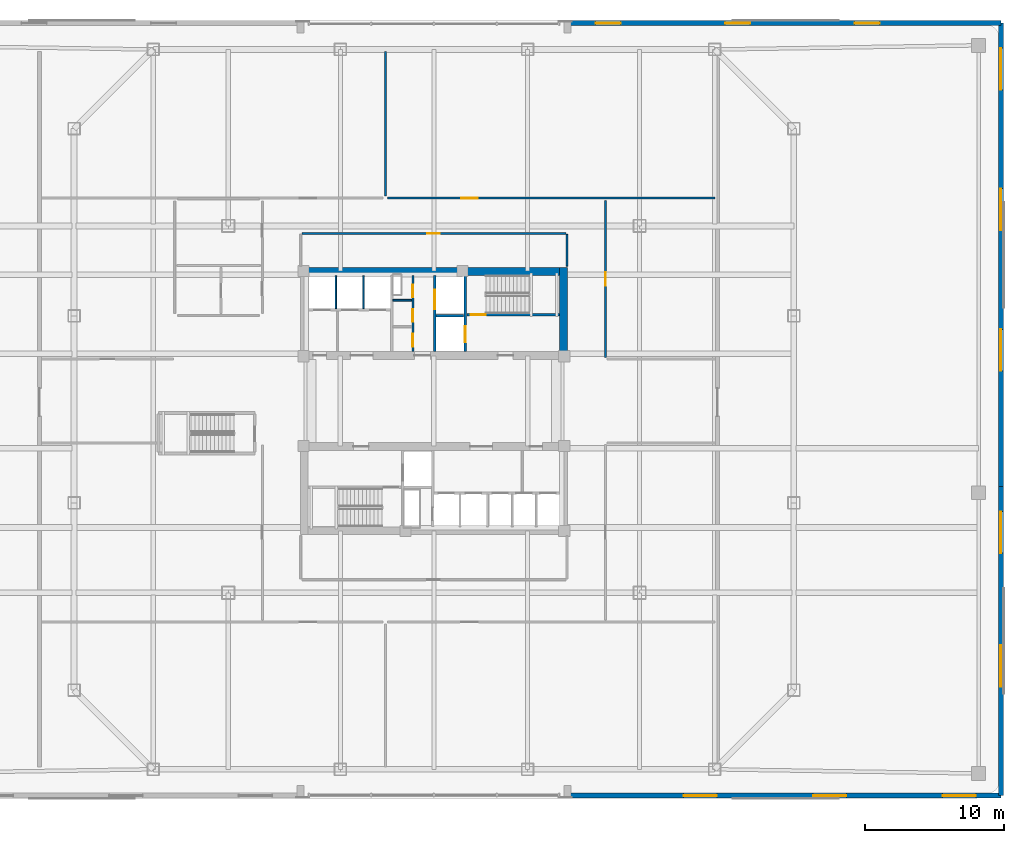
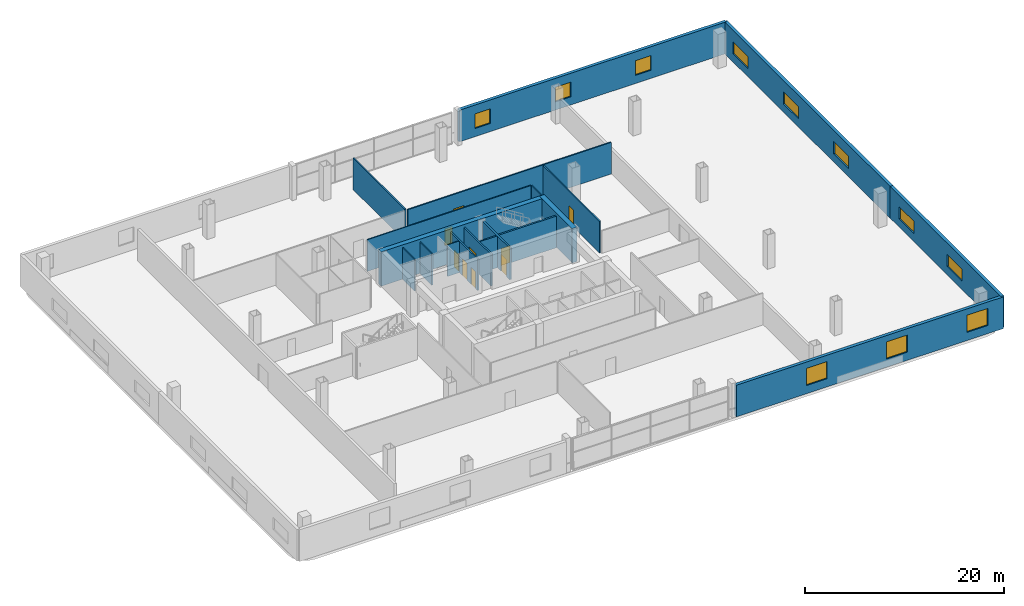
# One storey, part 14 of 21: 19 walls, 11 windows, 9 doors, 20 openings.
"""IFC4 building model written with IfcOpenShell, lengths in metres."""

from ifc_helpers import new_model, si_unit, direction, frame, frame_2d, origin, place, context, subcontext, project, spatial, rectangle, extrude, material, layer, layer_set, type_object, element, fill, save


model = new_model("IFC4")

# Units and contexts
model_context = context("Model", 3, precision=1e-05, world=origin(), true_north=direction((0.0, 1.0)))
body_context = subcontext(model_context, "Body", "Model", "MODEL_VIEW")
ifc_project = project(units=[si_unit("LENGTHUNIT", "METRE"), si_unit("AREAUNIT", "SQUARE_METRE"), si_unit("VOLUMEUNIT", "CUBIC_METRE"), si_unit("PLANEANGLEUNIT", "RADIAN"), si_unit("MASSUNIT", "GRAM", prefix="KILO")], contexts=[model_context])

# Site, building, storey
site_placement = place(None, origin())
site = spatial("IfcSite", under=ifc_project, at=site_placement, CompositionType="ELEMENT")
building_placement = place(site_placement, origin())
building = spatial("IfcBuilding", under=site, at=building_placement, Name="Qhalaya Broadcast Tower", CompositionType="ELEMENT")
storey_placement = place(building_placement, frame((0.0, 0.0, 5.10009765625)))
storey = spatial("IfcBuildingStorey", under=building, at=storey_placement, Name="L01", CompositionType="ELEMENT", Elevation=5.10009765625)

# Wall, openings, doors
ifc_material_1 = material(Name="Gypsum Acoustic Partition")
ifc_layer_1 = layer(ifc_material_1, 0.14990234375, Name="Gypsum Acoustic Partition")
ifc_layer_set_1 = layer_set([ifc_layer_1], Name="Gypsum Acoustic Partition")
wall_type_1 = type_object("IfcWallType", Name="Corridor & Tenancy Acoustic Partition 150", PredefinedType="PARTITIONING", material=ifc_layer_set_1)
wall_1_placement = place(storey_placement, frame((-1.52001953125, 4.169921875, 0.0), z_axis=(0.0, 0.0, 1.0), x_axis=(0.0, 1.0, 0.0)))
wall_1 = element("IfcWall", 1, at=wall_1_placement, inside=storey, type_object=wall_type_1, Name="L01 Partition Wall NCW-SVL", PredefinedType="PARTITIONING", context=body_context, shape_type="SweptSolid", body=[
    extrude(rectangle(XDim=5.4599609375, YDim=0.14990234375, at=frame_2d((2.72998046875, 0.0))), origin(), (0.0, 0.0, 1.0), 3.8798828125),
])
opening_1_placement = place(wall_1_placement, frame((3.89990234375, 0.0, 0.0)))
opening_1 = element("IfcOpeningElement", 2, at=opening_1_placement, cuts=wall_1, Name="Opening D06", PredefinedType="OPENING", context=body_context, shape_type="SweptSolid", body=[
    extrude(rectangle(XDim=0.89990234375, YDim=2.050048828125, at=frame_2d((0.449951171875, 1.02490234375))), frame((0.0, 0.0869140625, 0.0), z_axis=(0.0, -1.0, 0.0), x_axis=(1.0, 0.0, 0.0)), (0.0, 0.0, 1.0), 0.173828125),
])
opening_2_placement = place(wall_1_placement, frame((2.14990234375, 0.0, 0.0)))
opening_2 = element("IfcOpeningElement", 3, at=opening_2_placement, cuts=wall_1, Name="Opening D06", PredefinedType="OPENING", context=body_context, shape_type="SweptSolid", body=[
    extrude(rectangle(XDim=0.89990234375, YDim=2.050048828125, at=frame_2d((0.449951171875, 1.02490234375))), frame((0.0, 0.0869140625, 0.0), z_axis=(0.0, -1.0, 0.0), x_axis=(1.0, 0.0, 0.0)), (0.0, 0.0, 1.0), 0.173828125),
])
opening_3_placement = place(wall_1_placement, frame((0.35009765625, 0.0, 0.0)))
opening_3 = element("IfcOpeningElement", 4, at=opening_3_placement, cuts=wall_1, Name="Opening D12", PredefinedType="OPENING", context=body_context, shape_type="SweptSolid", body=[
    extrude(rectangle(XDim=0.919921875, YDim=2.10009765625, at=frame_2d((0.4599609375, 1.050048828125))), frame((0.0, 0.0869140625, 0.0), z_axis=(0.0, -1.0, 0.0), x_axis=(1.0, 0.0, 0.0)), (0.0, 0.0, 1.0), 0.173828125),
])
ifc_material_2 = material(Name="Timber Veneer Acoustic Door", Category="wood")
door_type_1 = type_object("IfcDoorType", Name="Accessible WC & Restroom Door D12", OperationType="NOTDEFINED", PredefinedType="DOOR", material=ifc_material_2)
door_1_placement = place(opening_3_placement, origin())
door_1 = element("IfcDoor", 5, at=door_1_placement, inside=storey, type_object=door_type_1, Name="L01 Door D-NCWC", OperationType="SINGLE_SWING_RIGHT", OverallHeight=2.10009765625, OverallWidth=0.919921875, PredefinedType="DOOR", context=body_context, shape_type="SweptSolid", body=[
    extrude(rectangle(XDim=0.919921875, YDim=2.10009765625, at=frame_2d((0.4599609375, 1.050048828125))), frame((0.0, 0.02490234375, 0.0), z_axis=(0.0, -1.0, 0.0), x_axis=(1.0, 0.0, 0.0)), (0.0, 0.0, 1.0), 0.050048828125),
])
fill(opening_3, door_1)
ifc_material_3 = material(Name="Fire-Rated Steel Door", Category="steel")
door_type_2 = type_object("IfcDoorType", Name="Riser & Electrical Shaft Access Door D06", OperationType="NOTDEFINED", PredefinedType="DOOR", material=ifc_material_3)
door_2_placement = place(opening_1_placement, origin())
door_2 = element("IfcDoor", 6, at=door_2_placement, inside=storey, type_object=door_type_2, Name="L01 Riser Shaft Access Door D-NRSR", OperationType="SINGLE_SWING_RIGHT", OverallHeight=2.050048828125, OverallWidth=0.89990234375, PredefinedType="DOOR", context=body_context, shape_type="SweptSolid", body=[
    extrude(rectangle(XDim=0.89990234375, YDim=2.050048828125, at=frame_2d((0.449951171875, 1.02490234375))), frame((0.0, 0.02490234375, 0.0), z_axis=(0.0, -1.0, 0.0), x_axis=(1.0, 0.0, 0.0)), (0.0, 0.0, 1.0), 0.050048828125),
])
fill(opening_1, door_2)
door_3_placement = place(opening_2_placement, origin())
door_3 = element("IfcDoor", 7, at=door_3_placement, inside=storey, type_object=door_type_2, Name="L01 Door D-NITR", OperationType="SINGLE_SWING_LEFT", OverallHeight=2.050048828125, OverallWidth=0.89990234375, PredefinedType="DOOR", context=body_context, shape_type="SweptSolid", body=[
    extrude(rectangle(XDim=0.89990234375, YDim=2.050048828125, at=frame_2d((0.449951171875, 1.02490234375))), frame((0.0, 0.02490234375, 0.0), z_axis=(0.0, -1.0, 0.0), x_axis=(1.0, 0.0, 0.0)), (0.0, 0.0, 1.0), 0.050048828125),
])
fill(opening_2, door_3)

# Wall, opening, door
wall_2_placement = place(storey_placement, frame((-3.340087890625, 15.199951171875, 0.0), z_axis=(0.0, 0.0, 1.0), x_axis=(1.0, 0.0, 0.0)))
wall_2 = element("IfcWall", 8, at=wall_2_placement, inside=storey, type_object=wall_type_1, Name="L01 Partition Wall W-STN1R", PredefinedType="PARTITIONING", context=body_context, shape_type="SweptSolid", body=[
    extrude(rectangle(XDim=23.580078125, YDim=0.14990234375, at=frame_2d((11.7900390625, 0.0))), origin(), (0.0, 0.0, 1.0), 3.8798828125),
])
opening_4_placement = place(wall_2_placement, frame((5.294921875, 0.0, 0.0)))
opening_4 = element("IfcOpeningElement", 9, at=opening_4_placement, cuts=wall_2, Name="Opening D11", PredefinedType="OPENING", context=body_context, shape_type="SweptSolid", body=[
    extrude(rectangle(XDim=1.199951171875, YDim=2.10009765625, at=frame_2d((0.60009765625, 1.050048828125))), frame((0.0, 0.0869140625, 0.0), z_axis=(0.0, -1.0, 0.0), x_axis=(1.0, 0.0, 0.0)), (0.0, 0.0, 1.0), 0.173828125),
])
ifc_material_4 = material(Name="Anodised Aluminium Glazed Door", Category="aluminium")
door_type_3 = type_object("IfcDoorType", Name="Conference, Boardroom & Studio Control Door D11", OperationType="NOTDEFINED", PredefinedType="DOOR", material=ifc_material_4)
door_4_placement = place(opening_4_placement, origin())
door_4 = element("IfcDoor", 10, at=door_4_placement, inside=storey, type_object=door_type_3, Name="L01 Door D-STN2", OperationType="SINGLE_SWING_RIGHT", OverallHeight=2.10009765625, OverallWidth=1.199951171875, PredefinedType="DOOR", context=body_context, shape_type="SweptSolid", body=[
    extrude(rectangle(XDim=1.199951171875, YDim=2.10009765625, at=frame_2d((0.60009765625, 1.050048828125))), frame((0.0, 0.02490234375, 0.0), z_axis=(0.0, -1.0, 0.0), x_axis=(1.0, 0.0, 0.0)), (0.0, 0.0, 1.0), 0.050048828125),
])
fill(opening_4, door_4)

# Wall
wall_3_placement = place(storey_placement, frame((-3.5, 15.360107421875, 0.0), z_axis=(0.0, 0.0, 1.0), x_axis=(0.0, 1.0, 0.0)))
element("IfcWall", 11, at=wall_3_placement, inside=storey, type_object=wall_type_1, Name="L01 Partition Wall W-STMN", PredefinedType="PARTITIONING", context=body_context, shape_type="SweptSolid", body=[
    extrude(rectangle(XDim=10.3798828125, YDim=0.14990234375, at=frame_2d((5.18994140625, 0.0))), origin(), (0.0, 0.0, 1.0), 3.8798828125),
])

# Wall, opening, door
wall_4_placement = place(storey_placement, frame((12.35009765625, 3.739990234375, 0.0), z_axis=(0.0, 0.0, 1.0), x_axis=(0.0, 1.0, 0.0)))
wall_4 = element("IfcWall", 12, at=wall_4_placement, inside=storey, type_object=wall_type_1, Name="L01 Partition Wall W-STPEN", PredefinedType="PARTITIONING", context=body_context, shape_type="SweptSolid", body=[
    extrude(rectangle(XDim=11.300048828125, YDim=0.14990234375, at=frame_2d((5.64990234375, 0.0))), origin(), (0.0, 0.0, 1.0), 3.8798828125),
])
opening_5_placement = place(wall_4_placement, frame((5.175048828125, 0.0, 0.0)))
opening_5 = element("IfcOpeningElement", 13, at=opening_5_placement, cuts=wall_4, Name="Opening D10", PredefinedType="OPENING", context=body_context, shape_type="SweptSolid", body=[
    extrude(rectangle(XDim=0.949951171875, YDim=2.10009765625, at=frame_2d((0.47509765625, 1.050048828125))), frame((0.0, 0.0869140625, 0.0), z_axis=(0.0, -1.0, 0.0), x_axis=(1.0, 0.0, 0.0)), (0.0, 0.0, 1.0), 0.173828125),
])
door_type_4 = type_object("IfcDoorType", Name="Cellular Office & Edit Booth Door D10", OperationType="NOTDEFINED", PredefinedType="DOOR", material=ifc_material_2)
door_5_placement = place(opening_5_placement, origin())
door_5 = element("IfcDoor", 14, at=door_5_placement, inside=storey, type_object=door_type_4, Name="L01 Door D-STPE2", OperationType="SINGLE_SWING_LEFT", OverallHeight=2.10009765625, OverallWidth=0.949951171875, PredefinedType="DOOR", context=body_context, shape_type="SweptSolid", body=[
    extrude(rectangle(XDim=0.949951171875, YDim=2.10009765625, at=frame_2d((0.47509765625, 1.050048828125))), frame((0.0, 0.02490234375, 0.0), z_axis=(0.0, -1.0, 0.0), x_axis=(1.0, 0.0, 0.0)), (0.0, 0.0, 1.0), 0.050048828125),
])
fill(opening_5, door_5)

# Wall, openings, windows
ifc_material_5 = material(Name="Precast Concrete C40/50", Category="concrete")
ifc_layer_2 = layer(ifc_material_5, 0.360107421875, Name="Precast Concrete C40/50")
ifc_layer_set_2 = layer_set([ifc_layer_2], Name="Precast Concrete C40/50")
wall_type_2 = type_object("IfcWallType", Name="Insulated Precast Terracotta Exterior Wall 360", PredefinedType="SOLIDWALL", material=ifc_layer_set_2)
wall_5_placement = place(storey_placement, frame((40.800048828125, -27.800048828125, 0.0), z_axis=(0.0, 0.0, 1.0), x_axis=(-1.0, 0.0, 0.0)))
wall_5 = element("IfcWall", 15, at=wall_5_placement, inside=storey, type_object=wall_type_2, Name="L01 Podium Exterior Terracotta Wall EW-SE", PredefinedType="SOLIDWALL", context=body_context, shape_type="SweptSolid", body=[
    extrude(rectangle(XDim=30.9599609375, YDim=0.360107421875, at=frame_2d((15.47998046875, 0.0))), origin(), (0.0, 0.0, 1.0), 3.8798828125),
])
opening_6_placement = place(wall_5_placement, frame((1.800048828125, 0.0, 1.0)))
opening_6 = element("IfcOpeningElement", 16, at=opening_6_placement, cuts=wall_5, Name="Opening W01", PredefinedType="OPENING", context=body_context, shape_type="SweptSolid", body=[
    extrude(rectangle(XDim=2.39990234375, YDim=2.10009765625, at=frame_2d((1.199951171875, 1.050048828125))), frame((0.0, 0.192138671875, 0.0), z_axis=(0.0, -1.0, 0.0), x_axis=(1.0, 0.0, 0.0)), (0.0, 0.0, 1.0), 0.384033203125),
])
opening_7_placement = place(wall_5_placement, frame((11.1201171875, 0.0, 1.0)))
opening_7 = element("IfcOpeningElement", 17, at=opening_7_placement, cuts=wall_5, Name="Opening W01", PredefinedType="OPENING", context=body_context, shape_type="SweptSolid", body=[
    extrude(rectangle(XDim=2.39990234375, YDim=2.10009765625, at=frame_2d((1.199951171875, 1.050048828125))), frame((0.0, 0.192138671875, 0.0), z_axis=(0.0, -1.0, 0.0), x_axis=(1.0, 0.0, 0.0)), (0.0, 0.0, 1.0), 0.384033203125),
])
opening_8_placement = place(wall_5_placement, frame((20.43994140625, 0.0, 1.0)))
opening_8 = element("IfcOpeningElement", 18, at=opening_8_placement, cuts=wall_5, Name="Opening W01", PredefinedType="OPENING", context=body_context, shape_type="SweptSolid", body=[
    extrude(rectangle(XDim=2.39990234375, YDim=2.10009765625, at=frame_2d((1.199951171875, 1.050048828125))), frame((0.0, 0.192138671875, 0.0), z_axis=(0.0, -1.0, 0.0), x_axis=(1.0, 0.0, 0.0)), (0.0, 0.0, 1.0), 0.384033203125),
])
ifc_material_6 = material(Name="Solar-Control Low-E Triple Glazing", Category="glass")
window_type_1 = type_object("IfcWindowType", Name="Podium Broadcast Studio Acoustic Window W01", PartitioningType="SINGLE_PANEL", PredefinedType="WINDOW", material=ifc_material_6)
window_1_placement = place(opening_6_placement, origin())
window_1 = element("IfcWindow", 19, at=window_1_placement, inside=storey, type_object=window_type_1, Name="L01 Facade Window W01-1", OverallHeight=2.10009765625, OverallWidth=2.39990234375, PartitioningType="SINGLE_PANEL", PredefinedType="WINDOW", context=body_context, shape_type="SweptSolid", body=[
    extrude(rectangle(XDim=2.39990234375, YDim=2.10009765625, at=frame_2d((1.199951171875, 1.050048828125))), frame((0.0, 0.030029296875, 0.0), z_axis=(0.0, -1.0, 0.0), x_axis=(1.0, 0.0, 0.0)), (0.0, 0.0, 1.0), 0.06005859375),
])
fill(opening_6, window_1)
window_2_placement = place(opening_7_placement, origin())
window_2 = element("IfcWindow", 20, at=window_2_placement, inside=storey, type_object=window_type_1, Name="L01 Facade Window W01-2", OverallHeight=2.10009765625, OverallWidth=2.39990234375, PartitioningType="SINGLE_PANEL", PredefinedType="WINDOW", context=body_context, shape_type="SweptSolid", body=[
    extrude(rectangle(XDim=2.39990234375, YDim=2.10009765625, at=frame_2d((1.199951171875, 1.050048828125))), frame((0.0, 0.030029296875, 0.0), z_axis=(0.0, -1.0, 0.0), x_axis=(1.0, 0.0, 0.0)), (0.0, 0.0, 1.0), 0.06005859375),
])
fill(opening_7, window_2)
window_3_placement = place(opening_8_placement, origin())
window_3 = element("IfcWindow", 21, at=window_3_placement, inside=storey, type_object=window_type_1, Name="L01 Facade Window W01-3", OverallHeight=2.10009765625, OverallWidth=2.39990234375, PartitioningType="SINGLE_PANEL", PredefinedType="WINDOW", context=body_context, shape_type="SweptSolid", body=[
    extrude(rectangle(XDim=2.39990234375, YDim=2.10009765625, at=frame_2d((1.199951171875, 1.050048828125))), frame((0.0, 0.030029296875, 0.0), z_axis=(0.0, -1.0, 0.0), x_axis=(1.0, 0.0, 0.0)), (0.0, 0.0, 1.0), 0.06005859375),
])
fill(opening_8, window_3)

wall_6_placement = place(storey_placement, frame((9.840087890625, 27.800048828125, 0.0), z_axis=(0.0, 0.0, 1.0), x_axis=(1.0, 0.0, 0.0)))
wall_6 = element("IfcWall", 22, at=wall_6_placement, inside=storey, type_object=wall_type_2, Name="L01 Podium Exterior Terracotta Wall EW-NE", PredefinedType="SOLIDWALL", context=body_context, shape_type="SweptSolid", body=[
    extrude(rectangle(XDim=30.9599609375, YDim=0.360107421875, at=frame_2d((15.47998046875, 0.0))), origin(), (0.0, 0.0, 1.0), 3.8798828125),
])
opening_9_placement = place(wall_6_placement, frame((1.800048828125, 0.0, 1.0)))
opening_9 = element("IfcOpeningElement", 23, at=opening_9_placement, cuts=wall_6, Name="Opening W02", PredefinedType="OPENING", context=body_context, shape_type="SweptSolid", body=[
    extrude(rectangle(XDim=1.800048828125, YDim=1.800048828125, at=frame_2d((0.89990234375, 0.89990234375))), frame((0.0, 0.192138671875, 0.0), z_axis=(0.0, -1.0, 0.0), x_axis=(1.0, 0.0, 0.0)), (0.0, 0.0, 1.0), 0.384033203125),
])
opening_10_placement = place(wall_6_placement, frame((11.1201171875, 0.0, 1.0)))
opening_10 = element("IfcOpeningElement", 24, at=opening_10_placement, cuts=wall_6, Name="Opening W02", PredefinedType="OPENING", context=body_context, shape_type="SweptSolid", body=[
    extrude(rectangle(XDim=1.800048828125, YDim=1.800048828125, at=frame_2d((0.89990234375, 0.89990234375))), frame((0.0, 0.192138671875, 0.0), z_axis=(0.0, -1.0, 0.0), x_axis=(1.0, 0.0, 0.0)), (0.0, 0.0, 1.0), 0.384033203125),
])
opening_11_placement = place(wall_6_placement, frame((20.43994140625, 0.0, 1.0)))
opening_11 = element("IfcOpeningElement", 25, at=opening_11_placement, cuts=wall_6, Name="Opening W02", PredefinedType="OPENING", context=body_context, shape_type="SweptSolid", body=[
    extrude(rectangle(XDim=1.800048828125, YDim=1.800048828125, at=frame_2d((0.89990234375, 0.89990234375))), frame((0.0, 0.192138671875, 0.0), z_axis=(0.0, -1.0, 0.0), x_axis=(1.0, 0.0, 0.0)), (0.0, 0.0, 1.0), 0.384033203125),
])
window_type_2 = type_object("IfcWindowType", Name="Podium Production Office Window W02", PartitioningType="SINGLE_PANEL", PredefinedType="WINDOW", material=ifc_material_6)
window_4_placement = place(opening_9_placement, origin())
window_4 = element("IfcWindow", 26, at=window_4_placement, inside=storey, type_object=window_type_2, Name="L01 Facade Window W02-1", OverallHeight=1.800048828125, OverallWidth=1.800048828125, PartitioningType="SINGLE_PANEL", PredefinedType="WINDOW", context=body_context, shape_type="SweptSolid", body=[
    extrude(rectangle(XDim=1.800048828125, YDim=1.800048828125, at=frame_2d((0.89990234375, 0.89990234375))), frame((0.0, 0.030029296875, 0.0), z_axis=(0.0, -1.0, 0.0), x_axis=(1.0, 0.0, 0.0)), (0.0, 0.0, 1.0), 0.06005859375),
])
fill(opening_9, window_4)
window_5_placement = place(opening_10_placement, origin())
window_5 = element("IfcWindow", 27, at=window_5_placement, inside=storey, type_object=window_type_2, Name="L01 Facade Window W02-2", OverallHeight=1.800048828125, OverallWidth=1.800048828125, PartitioningType="SINGLE_PANEL", PredefinedType="WINDOW", context=body_context, shape_type="SweptSolid", body=[
    extrude(rectangle(XDim=1.800048828125, YDim=1.800048828125, at=frame_2d((0.89990234375, 0.89990234375))), frame((0.0, 0.030029296875, 0.0), z_axis=(0.0, -1.0, 0.0), x_axis=(1.0, 0.0, 0.0)), (0.0, 0.0, 1.0), 0.06005859375),
])
fill(opening_10, window_5)
window_6_placement = place(opening_11_placement, origin())
window_6 = element("IfcWindow", 28, at=window_6_placement, inside=storey, type_object=window_type_2, Name="L01 Facade Window W02-3", OverallHeight=1.800048828125, OverallWidth=1.800048828125, PartitioningType="SINGLE_PANEL", PredefinedType="WINDOW", context=body_context, shape_type="SweptSolid", body=[
    extrude(rectangle(XDim=1.800048828125, YDim=1.800048828125, at=frame_2d((0.89990234375, 0.89990234375))), frame((0.0, 0.030029296875, 0.0), z_axis=(0.0, -1.0, 0.0), x_axis=(1.0, 0.0, 0.0)), (0.0, 0.0, 1.0), 0.06005859375),
])
fill(opening_11, window_6)

wall_7_placement = place(storey_placement, frame((40.800048828125, -5.550048828125, 0.0), z_axis=(0.0, 0.0, 1.0), x_axis=(0.0, -1.0, 0.0)))
wall_7 = element("IfcWall", 29, at=wall_7_placement, inside=storey, type_object=wall_type_2, Name="L01 Podium Exterior Terracotta Wall EW-ES", PredefinedType="SOLIDWALL", context=body_context, shape_type="SweptSolid", body=[
    extrude(rectangle(XDim=22.25, YDim=0.360107421875, at=frame_2d((11.125, 0.0))), origin(), (0.0, 0.0, 1.0), 3.8798828125),
])
opening_12_placement = place(wall_7_placement, frame((1.800048828125, 0.0, 1.0)))
opening_12 = element("IfcOpeningElement", 30, at=opening_12_placement, cuts=wall_7, Name="Opening W03", PredefinedType="OPENING", context=body_context, shape_type="SweptSolid", body=[
    extrude(rectangle(XDim=3.0, YDim=1.5, at=frame_2d((1.5, 0.75))), frame((0.0, 0.192138671875, 0.0), z_axis=(0.0, -1.0, 0.0), x_axis=(1.0, 0.0, 0.0)), (0.0, 0.0, 1.0), 0.384033203125),
])
opening_13_placement = place(wall_7_placement, frame((11.425048828125, 0.0, 1.0)))
opening_13 = element("IfcOpeningElement", 31, at=opening_13_placement, cuts=wall_7, Name="Opening W03", PredefinedType="OPENING", context=body_context, shape_type="SweptSolid", body=[
    extrude(rectangle(XDim=3.0, YDim=1.5, at=frame_2d((1.5, 0.75))), frame((0.0, 0.192138671875, 0.0), z_axis=(0.0, -1.0, 0.0), x_axis=(1.0, 0.0, 0.0)), (0.0, 0.0, 1.0), 0.384033203125),
])
window_type_3 = type_object("IfcWindowType", Name="Podium Concourse Clerestory Window W03", PartitioningType="SINGLE_PANEL", PredefinedType="WINDOW", material=ifc_material_6)
window_7_placement = place(opening_12_placement, origin())
window_7 = element("IfcWindow", 32, at=window_7_placement, inside=storey, type_object=window_type_3, Name="L01 Facade Window W03-1", OverallHeight=1.5, OverallWidth=3.0, PartitioningType="SINGLE_PANEL", PredefinedType="WINDOW", context=body_context, shape_type="SweptSolid", body=[
    extrude(rectangle(XDim=3.0, YDim=1.5, at=frame_2d((1.5, 0.75))), frame((0.0, 0.030029296875, 0.0), z_axis=(0.0, -1.0, 0.0), x_axis=(1.0, 0.0, 0.0)), (0.0, 0.0, 1.0), 0.06005859375),
])
fill(opening_12, window_7)
window_8_placement = place(opening_13_placement, origin())
window_8 = element("IfcWindow", 33, at=window_8_placement, inside=storey, type_object=window_type_3, Name="L01 Facade Window W03-2", OverallHeight=1.5, OverallWidth=3.0, PartitioningType="SINGLE_PANEL", PredefinedType="WINDOW", context=body_context, shape_type="SweptSolid", body=[
    extrude(rectangle(XDim=3.0, YDim=1.5, at=frame_2d((1.5, 0.75))), frame((0.0, 0.030029296875, 0.0), z_axis=(0.0, -1.0, 0.0), x_axis=(1.0, 0.0, 0.0)), (0.0, 0.0, 1.0), 0.06005859375),
])
fill(opening_13, window_8)

wall_8_placement = place(storey_placement, frame((40.800048828125, 27.800048828125, 0.0), z_axis=(0.0, 0.0, 1.0), x_axis=(0.0, -1.0, 0.0)))
wall_8 = element("IfcWall", 34, at=wall_8_placement, inside=storey, type_object=wall_type_2, Name="L01 Podium Exterior Terracotta Wall EW-EN", PredefinedType="SOLIDWALL", context=body_context, shape_type="SweptSolid", body=[
    extrude(rectangle(XDim=33.35009765625, YDim=0.360107421875, at=frame_2d((16.675048828125, 0.0))), origin(), (0.0, 0.0, 1.0), 3.8798828125),
])
opening_14_placement = place(wall_8_placement, frame((1.800048828125, 0.0, 1.0)))
opening_14 = element("IfcOpeningElement", 35, at=opening_14_placement, cuts=wall_8, Name="Opening W03", PredefinedType="OPENING", context=body_context, shape_type="SweptSolid", body=[
    extrude(rectangle(XDim=3.0, YDim=1.5, at=frame_2d((1.5, 0.75))), frame((0.0, 0.192138671875, 0.0), z_axis=(0.0, -1.0, 0.0), x_axis=(1.0, 0.0, 0.0)), (0.0, 0.0, 1.0), 0.384033203125),
])
opening_15_placement = place(wall_8_placement, frame((11.9169921875, 0.0, 1.0)))
opening_15 = element("IfcOpeningElement", 36, at=opening_15_placement, cuts=wall_8, Name="Opening W03", PredefinedType="OPENING", context=body_context, shape_type="SweptSolid", body=[
    extrude(rectangle(XDim=3.0, YDim=1.5, at=frame_2d((1.5, 0.75))), frame((0.0, 0.192138671875, 0.0), z_axis=(0.0, -1.0, 0.0), x_axis=(1.0, 0.0, 0.0)), (0.0, 0.0, 1.0), 0.384033203125),
])
opening_16_placement = place(wall_8_placement, frame((22.032958984375, 0.0, 1.0)))
opening_16 = element("IfcOpeningElement", 37, at=opening_16_placement, cuts=wall_8, Name="Opening W03", PredefinedType="OPENING", context=body_context, shape_type="SweptSolid", body=[
    extrude(rectangle(XDim=3.0, YDim=1.5, at=frame_2d((1.5, 0.75))), frame((0.0, 0.192138671875, 0.0), z_axis=(0.0, -1.0, 0.0), x_axis=(1.0, 0.0, 0.0)), (0.0, 0.0, 1.0), 0.384033203125),
])
window_9_placement = place(opening_14_placement, origin())
window_9 = element("IfcWindow", 38, at=window_9_placement, inside=storey, type_object=window_type_3, Name="L01 Facade Window W03-1", OverallHeight=1.5, OverallWidth=3.0, PartitioningType="SINGLE_PANEL", PredefinedType="WINDOW", context=body_context, shape_type="SweptSolid", body=[
    extrude(rectangle(XDim=3.0, YDim=1.5, at=frame_2d((1.5, 0.75))), frame((0.0, 0.030029296875, 0.0), z_axis=(0.0, -1.0, 0.0), x_axis=(1.0, 0.0, 0.0)), (0.0, 0.0, 1.0), 0.06005859375),
])
fill(opening_14, window_9)
window_10_placement = place(opening_15_placement, origin())
window_10 = element("IfcWindow", 39, at=window_10_placement, inside=storey, type_object=window_type_3, Name="L01 Facade Window W03-2", OverallHeight=1.5, OverallWidth=3.0, PartitioningType="SINGLE_PANEL", PredefinedType="WINDOW", context=body_context, shape_type="SweptSolid", body=[
    extrude(rectangle(XDim=3.0, YDim=1.5, at=frame_2d((1.5, 0.75))), frame((0.0, 0.030029296875, 0.0), z_axis=(0.0, -1.0, 0.0), x_axis=(1.0, 0.0, 0.0)), (0.0, 0.0, 1.0), 0.06005859375),
])
fill(opening_15, window_10)
window_11_placement = place(opening_16_placement, origin())
window_11 = element("IfcWindow", 40, at=window_11_placement, inside=storey, type_object=window_type_3, Name="L01 Facade Window W03-3", OverallHeight=1.5, OverallWidth=3.0, PartitioningType="SINGLE_PANEL", PredefinedType="WINDOW", context=body_context, shape_type="SweptSolid", body=[
    extrude(rectangle(XDim=3.0, YDim=1.5, at=frame_2d((1.5, 0.75))), frame((0.0, 0.030029296875, 0.0), z_axis=(0.0, -1.0, 0.0), x_axis=(1.0, 0.0, 0.0)), (0.0, 0.0, 1.0), 0.06005859375),
])
fill(opening_16, window_11)

# Wall, opening, door
ifc_material_7 = material(Name="Concrete C50/60", Category="concrete")
ifc_layer_3 = layer(ifc_material_7, 0.199951171875, Name="Concrete C50/60")
ifc_layer_set_3 = layer_set([ifc_layer_3], Name="Concrete C50/60")
wall_type_3 = type_object("IfcWallType", Name="Load-Bearing Stair Shaft Wall 200", PredefinedType="SHEAR", material=ifc_layer_set_3)
wall_9_placement = place(storey_placement, frame((2.360107421875, 6.804931640625, 0.0), z_axis=(0.0, 0.0, 1.0), x_axis=(1.0, 0.0, 0.0)))
wall_9 = element("IfcWall", 41, at=wall_9_placement, inside=storey, type_object=wall_type_3, Name="L01 Stair Core Shear Wall NCW-ST1", PredefinedType="SHEAR", context=body_context, shape_type="SweptSolid", body=[
    extrude(rectangle(XDim=6.669921875, YDim=0.199951171875, at=frame_2d((3.3349609375, 0.0))), origin(), (0.0, 0.0, 1.0), 3.8798828125),
])
opening_17_placement = place(wall_9_placement, frame((0.300048828125, 0.0, 0.0)))
opening_17 = element("IfcOpeningElement", 42, at=opening_17_placement, cuts=wall_9, Name="Opening D03", PredefinedType="OPENING", context=body_context, shape_type="SweptSolid", body=[
    extrude(rectangle(XDim=1.050048828125, YDim=2.080078125, at=frame_2d((0.52490234375, 1.0400390625))), frame((0.0, 0.112060546875, 0.0), z_axis=(0.0, -1.0, 0.0), x_axis=(1.0, 0.0, 0.0)), (0.0, 0.0, 1.0), 0.223876953125),
])
door_type_5 = type_object("IfcDoorType", Name="Core Stair Protected Fire Door D03", OperationType="NOTDEFINED", PredefinedType="DOOR", material=ifc_material_3)
door_6_placement = place(opening_17_placement, origin())
door_6 = element("IfcDoor", 43, at=door_6_placement, inside=storey, type_object=door_type_5, Name="L01 Door D-NST1", OperationType="SINGLE_SWING_LEFT", OverallHeight=2.080078125, OverallWidth=1.050048828125, PredefinedType="DOOR", context=body_context, shape_type="SweptSolid", body=[
    extrude(rectangle(XDim=1.050048828125, YDim=2.080078125, at=frame_2d((0.52490234375, 1.0400390625))), frame((0.0, 0.02490234375, 0.0), z_axis=(0.0, -1.0, 0.0), x_axis=(1.0, 0.0, 0.0)), (0.0, 0.0, 1.0), 0.050048828125),
])
fill(opening_17, door_6)

wall_10_placement = place(storey_placement, frame((2.25, 4.169921875, 0.0), z_axis=(0.0, 0.0, 1.0), x_axis=(0.0, 1.0, 0.0)))
wall_10 = element("IfcWall", 44, at=wall_10_placement, inside=storey, type_object=wall_type_3, Name="L01 Stair Core Shear Wall NCW-FF", PredefinedType="SHEAR", context=body_context, shape_type="SweptSolid", body=[
    extrude(rectangle(XDim=5.4599609375, YDim=0.199951171875, at=frame_2d((2.72998046875, 0.0))), origin(), (0.0, 0.0, 1.0), 3.8798828125),
])
opening_18_placement = place(wall_10_placement, frame((0.64990234375, 0.0, 0.0)))
opening_18 = element("IfcOpeningElement", 45, at=opening_18_placement, cuts=wall_10, Name="Opening LD2", PredefinedType="OPENING", context=body_context, shape_type="SweptSolid", body=[
    extrude(rectangle(XDim=1.14990234375, YDim=2.080078125, at=frame_2d((0.574951171875, 1.0400390625))), frame((0.0, 0.112060546875, 0.0), z_axis=(0.0, -1.0, 0.0), x_axis=(1.0, 0.0, 0.0)), (0.0, 0.0, 1.0), 0.223876953125),
])
ifc_material_8 = material(Name="Brushed Stainless Steel Lift Door", Category="steel")
door_type_6 = type_object("IfcDoorType", Name="Firefighting Lift Sliding Landing Door LD2", OperationType="DOUBLE_DOOR_SLIDING", PredefinedType="DOOR", material=ifc_material_8)
door_7_placement = place(opening_18_placement, origin())
door_7 = element("IfcDoor", 46, at=door_7_placement, inside=storey, type_object=door_type_6, Name="L01 Door LD-FF1", OperationType="DOUBLE_DOOR_SLIDING", OverallHeight=2.080078125, OverallWidth=1.14990234375, PredefinedType="DOOR", context=body_context, shape_type="SweptSolid", body=[
    extrude(rectangle(XDim=1.14990234375, YDim=2.080078125, at=frame_2d((0.574951171875, 1.0400390625))), frame((0.0, 0.02490234375, 0.0), z_axis=(0.0, -1.0, 0.0), x_axis=(1.0, 0.0, 0.0)), (0.0, 0.0, 1.0), 0.050048828125),
])
fill(opening_18, door_7)

# Walls
ifc_material_9 = material(Name="Concrete C60/75", Category="concrete")
ifc_layer_4 = layer(ifc_material_9, 0.550048828125, Name="Concrete C60/75")
ifc_layer_set_4 = layer_set([ifc_layer_4], Name="Concrete C60/75")
wall_type_4 = type_object("IfcWallType", Name="Lower Split-Core Shear Wall 550", PredefinedType="SHEAR", material=ifc_layer_set_4)
wall_11_placement = place(storey_placement, frame((-9.60009765625, 9.925048828125, 0.0), z_axis=(0.0, 0.0, 1.0), x_axis=(1.0, 0.0, 0.0)))
element("IfcWall", 47, at=wall_11_placement, inside=storey, type_object=wall_type_4, Name="L01 Split-Core Shear Wall CW-NN", PredefinedType="SHEAR", context=body_context, shape_type="SweptSolid", body=[
    extrude(rectangle(XDim=19.2001953125, YDim=0.550048828125, at=frame_2d((9.60009765625, 0.0))), origin(), (0.0, 0.0, 1.0), 4.199951171875),
])
wall_12_placement = place(storey_placement, frame((9.324951171875, 3.60009765625, 0.0), z_axis=(0.0, 0.0, 1.0), x_axis=(0.0, 1.0, 0.0)))
element("IfcWall", 48, at=wall_12_placement, inside=storey, type_object=wall_type_4, Name="L01 Split-Core Shear Wall CW-NE", PredefinedType="SHEAR", context=body_context, shape_type="SweptSolid", body=[
    extrude(rectangle(XDim=6.599853515625, YDim=0.550048828125, at=frame_2d((3.2998046875, 0.0))), origin(), (0.0, 0.0, 1.0), 4.199951171875),
])
ifc_layer_5 = layer(ifc_material_1, 0.1201171875, Name="Gypsum Acoustic Partition")
ifc_layer_set_5 = layer_set([ifc_layer_5], Name="Gypsum Acoustic Partition")
wall_type_5 = type_object("IfcWallType", Name="Office, Booth & Sanitary Partition 120", PredefinedType="PARTITIONING", material=ifc_layer_set_5)
wall_13_placement = place(storey_placement, frame((-2.9599609375, 7.85009765625, 0.0), z_axis=(0.0, 0.0, 1.0), x_axis=(1.0, 0.0, 0.0)))
element("IfcWall", 49, at=wall_13_placement, inside=storey, type_object=wall_type_5, Name="L01 Partition Wall NCW-VB2", PredefinedType="PARTITIONING", context=body_context, shape_type="SweptSolid", body=[
    extrude(rectangle(XDim=1.35986328125, YDim=0.1201171875, at=frame_2d((0.679931640625, 0.0))), origin(), (0.0, 0.0, 1.0), 3.8798828125),
])
for number, where, z_axis, x_axis, name in (
    (50, (-7.06005859375, 7.25, 0.0), (0.0, 0.0, 1.0), (0.0, 1.0, 0.0), "L01 Partition Wall NCW-PD1"),
    (51, (-5.06005859375, 7.25, 0.0), (0.0, 0.0, 1.0), (0.0, 1.0, 0.0), "L01 Partition Wall NCW-PD2"),
):
    element("IfcWall", number, at=place(storey_placement, frame(where, z_axis=z_axis, x_axis=x_axis)), inside=storey, type_object=wall_type_5, Name=name, PredefinedType="PARTITIONING", context=body_context, shape_type="SweptSolid", body=[
        extrude(rectangle(XDim=2.3798828125, YDim=0.1201171875, at=frame_2d((1.18994140625, 0.0))), origin(), (0.0, 0.0, 1.0), 3.8798828125),
    ])

# Wall, opening, door
wall_14_placement = place(storey_placement, frame((-9.489990234375, 12.659912109375, 0.0), z_axis=(0.0, 0.0, 1.0), x_axis=(1.0, 0.0, 0.0)))
wall_14 = element("IfcWall", 52, at=wall_14_placement, inside=storey, type_object=wall_type_5, Name="L01 Partition Wall W-PCSHN", PredefinedType="PARTITIONING", context=body_context, shape_type="SweptSolid", body=[
    extrude(rectangle(XDim=18.97998046875, YDim=0.1201171875, at=frame_2d((9.489990234375, 0.0))), origin(), (0.0, 0.0, 1.0), 3.8798828125),
])
opening_19_placement = place(wall_14_placement, frame((9.014892578125, 0.0, 0.0)))
opening_19 = element("IfcOpeningElement", 53, at=opening_19_placement, cuts=wall_14, Name="Opening D06", PredefinedType="OPENING", context=body_context, shape_type="SweptSolid", body=[
    extrude(rectangle(XDim=0.89990234375, YDim=2.050048828125, at=frame_2d((0.449951171875, 1.02490234375))), frame((0.0, 0.072021484375, 0.0), z_axis=(0.0, -1.0, 0.0), x_axis=(1.0, 0.0, 0.0)), (0.0, 0.0, 1.0), 0.14404296875),
])
door_8_placement = place(opening_19_placement, origin())
door_8 = element("IfcDoor", 54, at=door_8_placement, inside=storey, type_object=door_type_2, Name="L01 Door D-PCSHN", OperationType="SINGLE_SWING_LEFT", OverallHeight=2.050048828125, OverallWidth=0.89990234375, PredefinedType="DOOR", context=body_context, shape_type="SweptSolid", body=[
    extrude(rectangle(XDim=0.89990234375, YDim=2.050048828125, at=frame_2d((0.449951171875, 1.02490234375))), frame((0.0, 0.02490234375, 0.0), z_axis=(0.0, -1.0, 0.0), x_axis=(1.0, 0.0, 0.0)), (0.0, 0.0, 1.0), 0.050048828125),
])
fill(opening_19, door_8)

# Wall
wall_15_placement = place(storey_placement, frame((9.580078125, 10.31005859375, 0.0), z_axis=(0.0, 0.0, 1.0), x_axis=(0.0, 1.0, 0.0)))
element("IfcWall", 55, at=wall_15_placement, inside=storey, type_object=wall_type_5, Name="L01 Partition Wall W-PCSHNE", PredefinedType="PARTITIONING", context=body_context, shape_type="SweptSolid", body=[
    extrude(rectangle(XDim=2.280029296875, YDim=0.1201171875, at=frame_2d((1.14013671875, 0.0))), origin(), (0.0, 0.0, 1.0), 3.8798828125),
])

# Wall, opening, door
ifc_layer_6 = layer(ifc_material_1, 0.175048828125, Name="Gypsum Acoustic Partition")
ifc_layer_set_6 = layer_set([ifc_layer_6], Name="Gypsum Acoustic Partition")
wall_type_6 = type_object("IfcWallType", Name="Shaft & Riser Fire Partition 175", PredefinedType="PARTITIONING", material=ifc_layer_set_6)
wall_16_placement = place(storey_placement, frame((0.06005859375, 4.169921875, 0.0), z_axis=(0.0, 0.0, 1.0), x_axis=(0.0, 1.0, 0.0)))
wall_16 = element("IfcWall", 56, at=wall_16_placement, inside=storey, type_object=wall_type_6, Name="L01 Partition Wall NCW-SVW", PredefinedType="PARTITIONING", context=body_context, shape_type="SweptSolid", body=[
    extrude(rectangle(XDim=5.4599609375, YDim=0.175048828125, at=frame_2d((2.72998046875, 0.0))), origin(), (0.0, 0.0, 1.0), 3.8798828125),
])
opening_20_placement = place(wall_16_placement, frame((3.050048828125, 0.0, 0.0)))
opening_20 = element("IfcOpeningElement", 57, at=opening_20_placement, cuts=wall_16, Name="Opening LD3", PredefinedType="OPENING", context=body_context, shape_type="SweptSolid", body=[
    extrude(rectangle(XDim=1.39990234375, YDim=2.1201171875, at=frame_2d((0.699951171875, 1.06005859375))), frame((0.0, 0.099609375, 0.0), z_axis=(0.0, -1.0, 0.0), x_axis=(1.0, 0.0, 0.0)), (0.0, 0.0, 1.0), 0.198974609375),
])
door_type_7 = type_object("IfcDoorType", Name="Service Lift Wide Sliding Landing Door LD3", OperationType="DOUBLE_DOOR_SLIDING", PredefinedType="DOOR", material=ifc_material_8)
door_9_placement = place(opening_20_placement, origin())
door_9 = element("IfcDoor", 58, at=door_9_placement, inside=storey, type_object=door_type_7, Name="L01 Door LD-SV1", OperationType="DOUBLE_DOOR_SLIDING", OverallHeight=2.1201171875, OverallWidth=1.39990234375, PredefinedType="DOOR", context=body_context, shape_type="SweptSolid", body=[
    extrude(rectangle(XDim=1.39990234375, YDim=2.1201171875, at=frame_2d((0.699951171875, 1.06005859375))), frame((0.0, 0.02490234375, 0.0), z_axis=(0.0, -1.0, 0.0), x_axis=(1.0, 0.0, 0.0)), (0.0, 0.0, 1.0), 0.050048828125),
])
fill(opening_20, door_9)

# Wall
wall_17_placement = place(storey_placement, frame((0.159912109375, 6.75, 0.0), z_axis=(0.0, 0.0, 1.0), x_axis=(1.0, 0.0, 0.0)))
element("IfcWall", 59, at=wall_17_placement, inside=storey, type_object=wall_type_6, Name="L01 Partition Wall NCW-SVM", PredefinedType="PARTITIONING", context=body_context, shape_type="SweptSolid", body=[
    extrude(rectangle(XDim=1.97998046875, YDim=0.175048828125, at=frame_2d((0.989990234375, 0.0))), origin(), (0.0, 0.0, 1.0), 3.8798828125),
])

save(model, "model.ifc")
